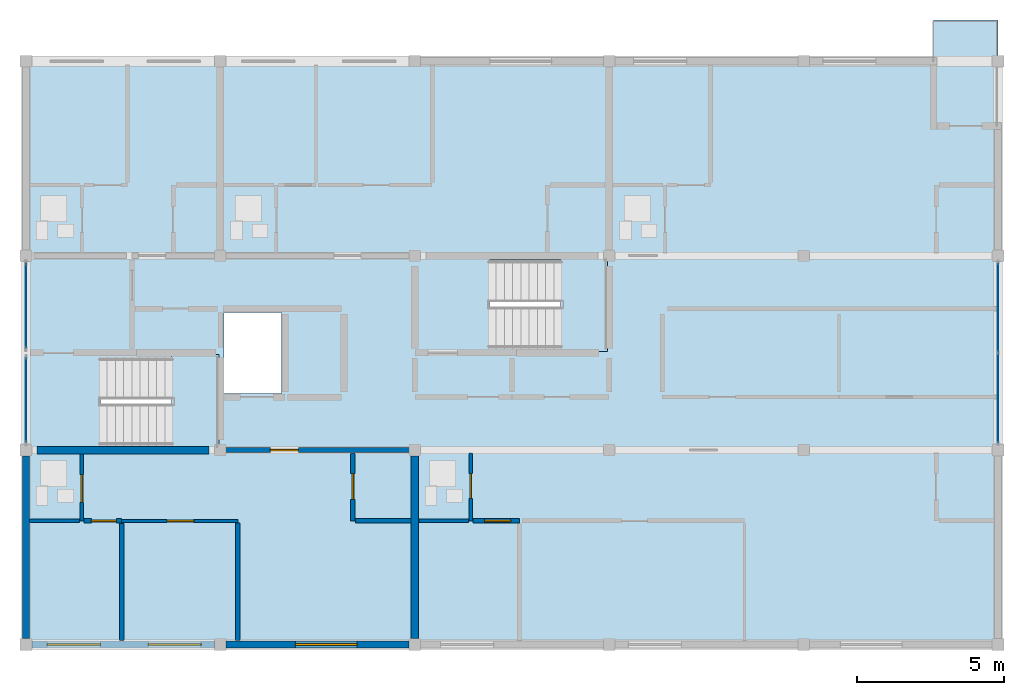
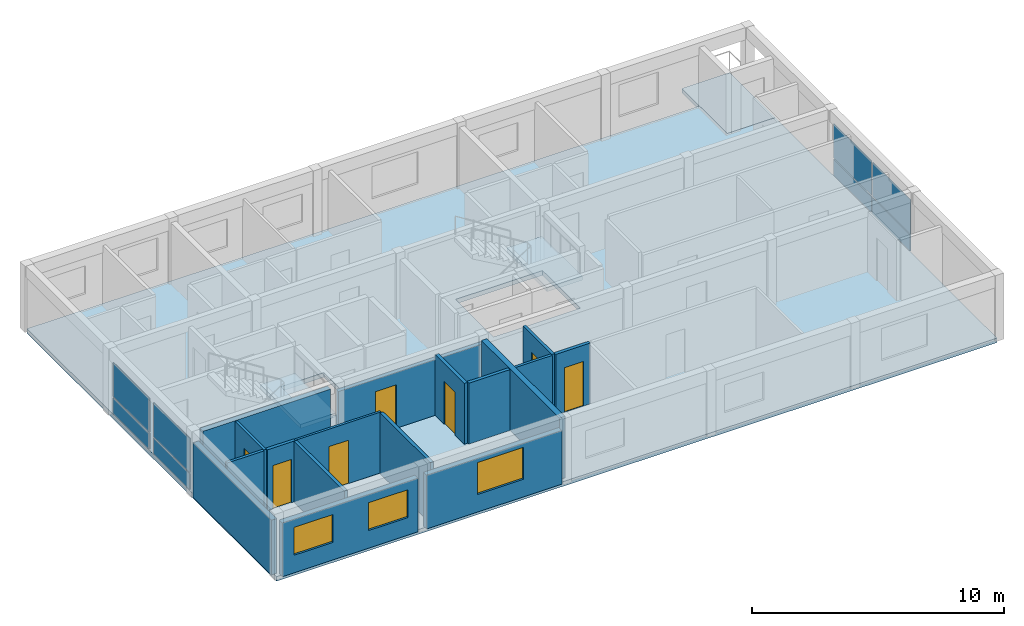
# One storey, part 7 of 12: 17 walls, 8 plates, 7 doors, 4 slabs, 3 windows, 10 openings, 5 elements without a shape of their own.
"""IFC4 building model written with IfcOpenShell, lengths in metres."""

from ifc_helpers import new_model, si_unit, direction, frame, frame_2d, origin, origin_2d, place, context, subcontext, project, spatial, polyline, rectangle, outline, extrude, material, layer, layer_set, type_object, element, fill, aggregate, save


model = new_model("IFC4")

# Units and contexts
model_context = context("Model", 3, precision=1e-05, world=origin(), true_north=direction((0.0, 1.0)))
body_context = subcontext(model_context, "Body", "Model", "MODEL_VIEW")
ifc_project = project(units=[si_unit("LENGTHUNIT", "METRE"), si_unit("AREAUNIT", "SQUARE_METRE"), si_unit("VOLUMEUNIT", "CUBIC_METRE"), si_unit("PLANEANGLEUNIT", "RADIAN"), si_unit("MASSUNIT", "GRAM", prefix="KILO")], contexts=[model_context])

# Site, building, storey
site_placement = place(None, origin())
site = spatial("IfcSite", under=ifc_project, at=site_placement, CompositionType="ELEMENT")
building_placement = place(site_placement, origin())
building = spatial("IfcBuilding", under=site, at=building_placement, Name="Kernevlak Ridge Housing Community", CompositionType="ELEMENT")
storey_placement = place(building_placement, frame((0.0, 0.0, 53.199951171875)))
storey = spatial("IfcBuildingStorey", under=building, at=storey_placement, Name="L16", CompositionType="ELEMENT", Elevation=53.199951171875)

# Curtain wall, plate
ifc_material_1 = material(Name="Aluminium EN AW-6060 anodised and laminated glass", Category="aluminium")
curtain_wall_type_1 = type_object("IfcCurtainWallType", Name="CW-01", PredefinedType="NOTDEFINED", material=ifc_material_1)
curtain_wall_1_placement = place(storey_placement, origin())
curtain_wall_1 = element("IfcCurtainWall", 1, at=curtain_wall_1_placement, inside=storey, type_object=curtain_wall_type_1, Name="Curtain wall CW-01 CW-L16-049", PredefinedType="NOTDEFINED")
ifc_material_2 = material(Name="Solar-control double glazing glass", Category="glass")
ifc_layer_1 = layer(ifc_material_2, 0.02392578125, Name="Solar-control double glazing glass")
ifc_layer_set_1 = layer_set([ifc_layer_1], Name="Solar-control double glazing glass")
plate_type_1 = type_object("IfcPlateType", Name="CP-01", PredefinedType="CURTAIN_PANEL", material=ifc_layer_set_1)
plate_1_placement = place(storey_placement, frame((15.60009765625, 84.294921875, 0.8798828125), z_axis=(0.0, 0.0, 1.0), x_axis=(0.0, 1.0, 0.0)))
plate_1 = element("IfcPlate", 2, at=plate_1_placement, type_object=plate_type_1, Name="CW-01 panel 1.2", PredefinedType="CURTAIN_PANEL", context=body_context, shape_type="SweptSolid", body=[
    extrude(rectangle(XDim=2.8701171875, YDim=0.02392578125, at=origin_2d()), origin(), (0.0, 0.0, 1.0), 1.659912109375),
])

curtain_wall_type_2 = type_object("IfcCurtainWallType", Name="CW-08", PredefinedType="NOTDEFINED", material=ifc_material_1)
curtain_wall_2_placement = place(storey_placement, origin())
curtain_wall_2 = element("IfcCurtainWall", 3, at=curtain_wall_2_placement, inside=storey, type_object=curtain_wall_type_2, Name="Curtain wall CW-08 CW-L16-050", PredefinedType="NOTDEFINED")
plate_2_placement = place(storey_placement, frame((15.60009765625, 87.5048828125, 0.88232421875), z_axis=(0.0, 0.0, 1.0), x_axis=(0.0, 1.0, 0.0)))
plate_2 = element("IfcPlate", 4, at=plate_2_placement, type_object=plate_type_1, Name="CW-08 panel 1.2", PredefinedType="CURTAIN_PANEL", context=body_context, shape_type="SweptSolid", body=[
    extrude(rectangle(XDim=2.860107421875, YDim=0.02392578125, at=origin_2d()), origin(), (0.0, 0.0, 1.0), 1.652587890625),
])

# Curtain wall, plates
curtain_wall_type_3 = type_object("IfcCurtainWallType", Name="CW-10", PredefinedType="NOTDEFINED", material=ifc_material_1)
curtain_wall_3_placement = place(storey_placement, origin())
curtain_wall_3 = element("IfcCurtainWall", 5, at=curtain_wall_3_placement, inside=storey, type_object=curtain_wall_type_3, Name="Curtain wall CW-10 CW-L16-051", PredefinedType="NOTDEFINED")
plate_3_placement = place(storey_placement, frame((48.60009765625, 84.36376953125, 0.87744140625), z_axis=(0.0, 0.0, 1.0), x_axis=(0.0, 1.0, 0.0)))
plate_3 = element("IfcPlate", 6, at=plate_3_placement, type_object=plate_type_1, Name="CW-10 panel 1.2", PredefinedType="CURTAIN_PANEL", context=body_context, shape_type="SweptSolid", body=[
    extrude(rectangle(XDim=3.017578125, YDim=0.02392578125, at=origin_2d()), origin(), (0.0, 0.0, 1.0), 1.66748046875),
])
plate_4_placement = place(storey_placement, frame((48.60009765625, 87.436279296875, 0.87744140625), z_axis=(0.0, 0.0, 1.0), x_axis=(0.0, 1.0, 0.0)))
plate_4 = element("IfcPlate", 7, at=plate_4_placement, type_object=plate_type_1, Name="CW-10 panel 2.2", PredefinedType="CURTAIN_PANEL", context=body_context, shape_type="SweptSolid", body=[
    extrude(rectangle(XDim=3.017578125, YDim=0.02392578125, at=origin_2d()), origin(), (0.0, 0.0, 1.0), 1.66748046875),
])

# Plate
ifc_material_3 = material(Name="Aluminium EN AW-5005 enamelled panel", Category="aluminium")
ifc_layer_2 = layer(ifc_material_3, 0.0419921875, Name="Aluminium EN AW-5005 enamelled panel")
ifc_layer_set_2 = layer_set([ifc_layer_2], Name="Aluminium EN AW-5005 enamelled panel")
plate_type_2 = type_object("IfcPlateType", Name="CP-05", PredefinedType="CURTAIN_PANEL", material=ifc_layer_set_2)
plate_5_placement = place(storey_placement, frame((15.60009765625, 84.294921875, 0.06005859375), z_axis=(0.0, 0.0, 1.0), x_axis=(0.0, 1.0, 0.0)))
plate_5 = element("IfcPlate", 8, at=plate_5_placement, type_object=plate_type_2, Name="CW-01 panel 1.1", PredefinedType="CURTAIN_PANEL", context=body_context, shape_type="SweptSolid", body=[
    extrude(rectangle(XDim=2.8701171875, YDim=0.0419921875, at=origin_2d()), origin(), (0.0, 0.0, 1.0), 0.760009765625),
])

aggregate(curtain_wall_1, [plate_5, plate_1])

ifc_material_4 = material(Name="Aluminium EN AW-5005 insulated panel", Category="aluminium")
ifc_layer_3 = layer(ifc_material_4, 0.0458984375, Name="Aluminium EN AW-5005 insulated panel")
ifc_layer_set_3 = layer_set([ifc_layer_3], Name="Aluminium EN AW-5005 insulated panel")
plate_type_3 = type_object("IfcPlateType", Name="CP-06", PredefinedType="CURTAIN_PANEL", material=ifc_layer_set_3)
plate_6_placement = place(storey_placement, frame((15.60009765625, 87.5048828125, 0.065185546875), z_axis=(0.0, 0.0, 1.0), x_axis=(0.0, 1.0, 0.0)))
plate_6 = element("IfcPlate", 9, at=plate_6_placement, type_object=plate_type_3, Name="CW-08 panel 1.1", PredefinedType="CURTAIN_PANEL", context=body_context, shape_type="SweptSolid", body=[
    extrude(rectangle(XDim=2.860107421875, YDim=0.0458984375, at=origin_2d()), origin(), (0.0, 0.0, 1.0), 0.75244140625),
])

aggregate(curtain_wall_2, [plate_6, plate_2])

ifc_layer_4 = layer(ifc_material_4, 0.050048828125, Name="Aluminium EN AW-5005 insulated panel")
ifc_layer_set_4 = layer_set([ifc_layer_4], Name="Aluminium EN AW-5005 insulated panel")
plate_type_4 = type_object("IfcPlateType", Name="CP-07", PredefinedType="CURTAIN_PANEL", material=ifc_layer_set_4)
plate_7_placement = place(storey_placement, frame((48.60009765625, 84.36376953125, 0.054931640625), z_axis=(0.0, 0.0, 1.0), x_axis=(0.0, 1.0, 0.0)))
plate_7 = element("IfcPlate", 10, at=plate_7_placement, type_object=plate_type_4, Name="CW-10 panel 1.1", PredefinedType="CURTAIN_PANEL", context=body_context, shape_type="SweptSolid", body=[
    extrude(rectangle(XDim=3.017578125, YDim=0.050048828125, at=origin_2d()), origin(), (0.0, 0.0, 1.0), 0.767578125),
])

plate_8_placement = place(storey_placement, frame((48.60009765625, 87.436279296875, 0.054931640625), z_axis=(0.0, 0.0, 1.0), x_axis=(0.0, 1.0, 0.0)))
plate_8 = element("IfcPlate", 11, at=plate_8_placement, type_object=plate_type_4, Name="CW-10 panel 2.1", PredefinedType="CURTAIN_PANEL", context=body_context, shape_type="SweptSolid", body=[
    extrude(rectangle(XDim=3.017578125, YDim=0.050048828125, at=origin_2d()), origin(), (0.0, 0.0, 1.0), 0.767578125),
])

aggregate(curtain_wall_3, [plate_7, plate_3, plate_8, plate_4])

# Slabs
ifc_material_5 = material(Name="Concrete C35/45", Category="concrete")
ifc_layer_5 = layer(ifc_material_5, 0.219970703125, Name="Concrete C35/45")
ifc_layer_set_5 = layer_set([ifc_layer_5], Name="Concrete C35/45")
slab_type_1 = type_object("IfcSlabType", Name="SL-04", PredefinedType="FLOOR", material=ifc_layer_set_5)
slab_1_placement = place(storey_placement, frame((0.0, 0.0, -0.219970703125)))
element("IfcSlab", 12, at=slab_1_placement, inside=storey, type_object=slab_type_1, Name="Block A level L16 floor slab", PredefinedType="FLOOR", context=body_context, shape_type="SweptSolid", body=[
    extrude(outline(polyline([(15.60009765625, 76.0), (48.60009765625, 76.0), (48.60009765625, 93.60009765625), (46.39990234375, 93.60009765625), (46.39990234375, 95.800048828125), (15.60009765625, 95.800048828125), (15.60009765625, 76.0)]), holes=[polyline([(18.139892578125, 85.75), (22.1201171875, 85.75), (22.1201171875, 82.75), (18.139892578125, 82.75), (18.139892578125, 85.75)]), polyline([(31.340087890625, 89.050048828125), (35.320068359375, 89.050048828125), (35.320068359375, 86.050048828125), (31.340087890625, 86.050048828125), (31.340087890625, 89.050048828125)]), polyline([(22.320068359375, 87.280029296875), (24.280029296875, 87.280029296875), (24.280029296875, 84.52001953125), (22.320068359375, 84.52001953125), (22.320068359375, 87.280029296875)])]), origin(), (0.0, 0.0, 1.0), 0.219970703125),
])
ifc_layer_6 = layer(ifc_material_5, 0.199951171875, Name="Concrete C35/45")
ifc_layer_set_6 = layer_set([ifc_layer_6], Name="Concrete C35/45")
slab_type_2 = type_object("IfcSlabType", Name="SL-05", PredefinedType="FLOOR", material=ifc_layer_set_6)
slab_2_placement = place(storey_placement, frame((0.0, 0.0, -0.199951171875)))
element("IfcSlab", 13, at=slab_2_placement, inside=storey, type_object=slab_type_2, Name="Block A L16 corner balcony deck slab", PredefinedType="FLOOR", context=body_context, shape_type="SweptSolid", body=[
    extrude(outline(polyline([(46.39990234375, 93.60009765625), (48.60009765625, 93.60009765625), (48.60009765625, 97.199951171875), (46.39990234375, 97.199951171875), (46.39990234375, 93.60009765625)])), origin(), (0.0, 0.0, 1.0), 0.199951171875),
])

# Stair, slab
stair_type = type_object("IfcStairType", Name="SR-06", PredefinedType="HALF_TURN_STAIR", material=ifc_material_5)
stair_1_placement = place(storey_placement, origin())
stair_1 = element("IfcStair", 14, at=stair_1_placement, inside=storey, type_object=stair_type, Name="Stair ST-A1 L16", PredefinedType="HALF_TURN_STAIR")
ifc_layer_7 = layer(ifc_material_5, 0.18994140625, Name="Concrete C35/45")
ifc_layer_set_7 = layer_set([ifc_layer_7], Name="Concrete C35/45")
slab_type_3 = type_object("IfcSlabType", Name="SL-13", PredefinedType="LANDING", material=ifc_layer_set_7)
slab_3_placement = place(storey_placement, frame((0.0, 0.0, 1.41015625)))
slab_3 = element("IfcSlab", 15, at=slab_3_placement, type_object=slab_type_3, Name="SR-06 landing 1", PredefinedType="LANDING", context=body_context, shape_type="SweptSolid", body=[
    extrude(outline(polyline([(20.5400390625, 82.64990234375), (22.14990234375, 82.64990234375), (22.14990234375, 85.85009765625), (20.5400390625, 85.85009765625), (20.5400390625, 82.64990234375)])), origin(), (0.0, 0.0, 1.0), 0.18994140625),
])
aggregate(stair_1, [slab_3])

stair_2_placement = place(storey_placement, origin())
stair_2 = element("IfcStair", 16, at=stair_2_placement, inside=storey, type_object=stair_type, Name="Stair ST-A2 L16", PredefinedType="HALF_TURN_STAIR")
slab_4_placement = place(storey_placement, frame((0.0, 0.0, 1.41015625)))
slab_4 = element("IfcSlab", 17, at=slab_4_placement, type_object=slab_type_3, Name="SR-06 landing 1", PredefinedType="LANDING", context=body_context, shape_type="SweptSolid", body=[
    extrude(outline(polyline([(33.739990234375, 85.949951171875), (35.35009765625, 85.949951171875), (35.35009765625, 89.14990234375), (33.739990234375, 89.14990234375), (33.739990234375, 85.949951171875)])), origin(), (0.0, 0.0, 1.0), 0.18994140625),
])
aggregate(stair_2, [slab_4])

# Wall, openings, windows
ifc_material_6 = material(Name="Concrete block masonry M10", Category="masonry")
ifc_layer_8 = layer(ifc_material_6, 0.239990234375, Name="Concrete block masonry M10")
ifc_layer_set_8 = layer_set([ifc_layer_8], Name="Concrete block masonry M10")
wall_type_1 = type_object("IfcWallType", Name="EW-06", PredefinedType="STANDARD", material=ifc_layer_set_8)
wall_1_placement = place(storey_placement, frame((15.800048828125, 76.0, 0.0), z_axis=(0.0, 0.0, 1.0), x_axis=(1.0, 0.0, 0.0)))
wall_1 = element("IfcWall", 18, at=wall_1_placement, inside=storey, type_object=wall_type_1, Name="Exterior wall EW-06 L16 253", PredefinedType="STANDARD", context=body_context, shape_type="SweptSolid", body=[
    extrude(rectangle(XDim=6.199951171875, YDim=0.239990234375, at=frame_2d((3.10009765625, 0.0))), origin(), (0.0, 0.0, 1.0), 2.60009765625),
])
opening_1_placement = place(wall_1_placement, frame((0.52490234375, 0.0, 0.85009765625)))
opening_1 = element("IfcOpeningElement", 19, at=opening_1_placement, cuts=wall_1, Name="Opening WT-03", PredefinedType="OPENING", context=body_context, shape_type="SweptSolid", body=[
    extrude(rectangle(XDim=1.800048828125, YDim=1.35009765625, at=frame_2d((0.89990234375, 0.675048828125))), frame((0.0, 0.1298828125, 0.0), z_axis=(0.0, -1.0, 0.0), x_axis=(1.0, 0.0, 0.0)), (0.0, 0.0, 1.0), 0.260009765625),
])
opening_2_placement = place(wall_1_placement, frame((3.949951171875, 0.0, 0.85009765625)))
opening_2 = element("IfcOpeningElement", 20, at=opening_2_placement, cuts=wall_1, Name="Opening WT-03", PredefinedType="OPENING", context=body_context, shape_type="SweptSolid", body=[
    extrude(rectangle(XDim=1.800048828125, YDim=1.35009765625, at=frame_2d((0.89990234375, 0.675048828125))), frame((0.0, 0.1298828125, 0.0), z_axis=(0.0, -1.0, 0.0), x_axis=(1.0, 0.0, 0.0)), (0.0, 0.0, 1.0), 0.260009765625),
])
window_type_1 = type_object("IfcWindowType", Name="WT-03", PartitioningType="SINGLE_PANEL", PredefinedType="WINDOW", material=ifc_material_1)
window_1_placement = place(opening_1_placement, origin())
window_1 = element("IfcWindow", 21, at=window_1_placement, inside=storey, type_object=window_type_1, Name="Window WT-03 L16 200", OverallHeight=1.35009765625, OverallWidth=1.800048828125, PartitioningType="SINGLE_PANEL", PredefinedType="WINDOW", context=body_context, shape_type="SweptSolid", body=[
    extrude(rectangle(XDim=1.800048828125, YDim=1.35009765625, at=frame_2d((0.89990234375, 0.675048828125))), frame((0.0, 0.030029296875, 0.0), z_axis=(0.0, -1.0, 0.0), x_axis=(1.0, 0.0, 0.0)), (0.0, 0.0, 1.0), 0.06005859375),
])
fill(opening_1, window_1)
window_2_placement = place(opening_2_placement, origin())
window_2 = element("IfcWindow", 22, at=window_2_placement, inside=storey, type_object=window_type_1, Name="Window WT-03 L16 201", OverallHeight=1.35009765625, OverallWidth=1.800048828125, PartitioningType="SINGLE_PANEL", PredefinedType="WINDOW", context=body_context, shape_type="SweptSolid", body=[
    extrude(rectangle(XDim=1.800048828125, YDim=1.35009765625, at=frame_2d((0.89990234375, 0.675048828125))), frame((0.0, 0.030029296875, 0.0), z_axis=(0.0, -1.0, 0.0), x_axis=(1.0, 0.0, 0.0)), (0.0, 0.0, 1.0), 0.06005859375),
])
fill(opening_2, window_2)

# Wall, opening, window
wall_2_placement = place(storey_placement, frame((22.39990234375, 76.0, 0.0), z_axis=(0.0, 0.0, 1.0), x_axis=(1.0, 0.0, 0.0)))
wall_2 = element("IfcWall", 23, at=wall_2_placement, inside=storey, type_object=wall_type_1, Name="Exterior wall EW-06 L16 254", PredefinedType="STANDARD", context=body_context, shape_type="SweptSolid", body=[
    extrude(rectangle(XDim=6.2001953125, YDim=0.239990234375, at=frame_2d((3.10009765625, 0.0))), origin(), (0.0, 0.0, 1.0), 2.60009765625),
])
opening_3_placement = place(wall_2_placement, frame((2.345947265625, 0.0, 0.85009765625)))
opening_3 = element("IfcOpeningElement", 24, at=opening_3_placement, cuts=wall_2, Name="Opening WT-05", PredefinedType="OPENING", context=body_context, shape_type="SweptSolid", body=[
    extrude(rectangle(XDim=2.10009765625, YDim=1.550048828125, at=frame_2d((1.050048828125, 0.77490234375))), frame((0.0, 0.1298828125, 0.0), z_axis=(0.0, -1.0, 0.0), x_axis=(1.0, 0.0, 0.0)), (0.0, 0.0, 1.0), 0.260009765625),
])
window_type_2 = type_object("IfcWindowType", Name="WT-05", PartitioningType="SINGLE_PANEL", PredefinedType="WINDOW", material=ifc_material_1)
window_3_placement = place(opening_3_placement, origin())
window_3 = element("IfcWindow", 25, at=window_3_placement, inside=storey, type_object=window_type_2, Name="Window WT-05 L16 202", OverallHeight=1.550048828125, OverallWidth=2.10009765625, PartitioningType="SINGLE_PANEL", PredefinedType="WINDOW", context=body_context, shape_type="SweptSolid", body=[
    extrude(rectangle(XDim=2.10009765625, YDim=1.550048828125, at=frame_2d((1.050048828125, 0.77490234375))), frame((0.0, 0.030029296875, 0.0), z_axis=(0.0, -1.0, 0.0), x_axis=(1.0, 0.0, 0.0)), (0.0, 0.0, 1.0), 0.06005859375),
])
fill(opening_3, window_3)

# Wall
wall_3_placement = place(storey_placement, frame((15.60009765625, 76.199951171875, 0.0), z_axis=(0.0, 0.0, 1.0), x_axis=(0.0, 1.0, 0.0)))
element("IfcWall", 26, at=wall_3_placement, inside=storey, type_object=wall_type_1, Name="Exterior wall EW-06 L16 265", PredefinedType="STANDARD", context=body_context, shape_type="SweptSolid", body=[
    extrude(rectangle(XDim=6.199951171875, YDim=0.239990234375, at=frame_2d((3.10009765625, 0.0))), origin(), (0.0, 0.0, 1.0), 2.650146484375),
])

# Wall, opening, door
ifc_layer_9 = layer(ifc_material_6, 0.175048828125, Name="Concrete block masonry M10")
ifc_layer_set_9 = layer_set([ifc_layer_9], Name="Concrete block masonry M10")
wall_type_2 = type_object("IfcWallType", Name="PW-02", PredefinedType="PARTITIONING", material=ifc_layer_set_9)
wall_4_placement = place(storey_placement, frame((22.199951171875, 82.60009765625, 0.0), z_axis=(0.0, 0.0, 1.0), x_axis=(1.0, 0.0, 0.0)))
wall_4 = element("IfcWall", 27, at=wall_4_placement, inside=storey, type_object=wall_type_2, Name="Interior wall PW-02 WAL-INT-L16-1029", PredefinedType="PARTITIONING", context=body_context, shape_type="SweptSolid", body=[
    extrude(rectangle(XDim=6.60009765625, YDim=0.175048828125, at=frame_2d((3.300048828125, 0.0))), origin(), (0.0, 0.0, 1.0), 2.699951171875),
])
opening_4_placement = place(wall_4_placement, frame((1.699951171875, 0.0, 0.0)))
opening_4 = element("IfcOpeningElement", 28, at=opening_4_placement, cuts=wall_4, Name="Opening D519", PredefinedType="OPENING", context=body_context, shape_type="SweptSolid", body=[
    extrude(rectangle(XDim=0.949951171875, YDim=2.10009765625, at=frame_2d((0.47509765625, 1.050048828125))), frame((0.0, 0.097412109375, 0.0), z_axis=(0.0, -1.0, 0.0), x_axis=(1.0, 0.0, 0.0)), (0.0, 0.0, 1.0), 0.195068359375),
])
ifc_material_7 = material(Name="Hardwood timber solid-core fire leaf", Category="wood")
door_type_1 = type_object("IfcDoorType", Name="DT-01", OperationType="NOTDEFINED", PredefinedType="DOOR", material=ifc_material_7)
door_1_placement = place(opening_4_placement, origin())
door_1 = element("IfcDoor", 29, at=door_1_placement, inside=storey, type_object=door_type_1, Name="Flat A1611 entrance fire door D519", OperationType="SINGLE_SWING_LEFT", OverallHeight=2.10009765625, OverallWidth=0.949951171875, PredefinedType="DOOR", context=body_context, shape_type="SweptSolid", body=[
    extrude(rectangle(XDim=0.949951171875, YDim=2.10009765625, at=frame_2d((0.47509765625, 1.050048828125))), frame((0.0, 0.02490234375, 0.0), z_axis=(0.0, -1.0, 0.0), x_axis=(1.0, 0.0, 0.0)), (0.0, 0.0, 1.0), 0.050048828125),
])
fill(opening_4, door_1)

ifc_layer_10 = layer(ifc_material_6, 0.14501953125, Name="Concrete block masonry M10")
ifc_layer_set_10 = layer_set([ifc_layer_10], Name="Concrete block masonry M10")
wall_type_3 = type_object("IfcWallType", Name="PW-03", PredefinedType="PARTITIONING", material=ifc_layer_set_10)
wall_5_placement = place(storey_placement, frame((17.572509765625, 80.199951171875, 0.0), z_axis=(0.0, 0.0, 1.0), x_axis=(1.0, 0.0, 0.0)))
wall_5 = element("IfcWall", 30, at=wall_5_placement, inside=storey, type_object=wall_type_3, Name="Interior wall PW-03 WAL-INT-L16-1034", PredefinedType="PARTITIONING", context=body_context, shape_type="SweptSolid", body=[
    extrude(rectangle(XDim=1.277587890625, YDim=0.14501953125, at=frame_2d((0.638671875, 0.0))), origin(), (0.0, 0.0, 1.0), 2.945068359375),
])
opening_5_placement = place(wall_5_placement, frame((0.25, 0.0, 0.0)))
opening_5 = element("IfcOpeningElement", 31, at=opening_5_placement, cuts=wall_5, Name="Opening D522", PredefinedType="OPENING", context=body_context, shape_type="SweptSolid", body=[
    extrude(rectangle(XDim=0.85009765625, YDim=2.10009765625, at=frame_2d((0.425048828125, 1.050048828125))), frame((0.0, 0.08251953125, 0.0), z_axis=(0.0, -1.0, 0.0), x_axis=(1.0, 0.0, 0.0)), (0.0, 0.0, 1.0), 0.1650390625),
])
ifc_material_8 = material(Name="Hardwood timber leaf", Category="wood")
door_type_2 = type_object("IfcDoorType", Name="DT-03", OperationType="NOTDEFINED", PredefinedType="DOOR", material=ifc_material_8)
door_2_placement = place(opening_5_placement, origin())
door_2 = element("IfcDoor", 32, at=door_2_placement, inside=storey, type_object=door_type_2, Name="Flat A1611 bedroom door D522", OperationType="SINGLE_SWING_RIGHT", OverallHeight=2.10009765625, OverallWidth=0.85009765625, PredefinedType="DOOR", context=body_context, shape_type="SweptSolid", body=[
    extrude(rectangle(XDim=0.85009765625, YDim=2.10009765625, at=frame_2d((0.425048828125, 1.050048828125))), frame((0.0, 0.02490234375, 0.0), z_axis=(0.0, -1.0, 0.0), x_axis=(1.0, 0.0, 0.0)), (0.0, 0.0, 1.0), 0.050048828125),
])
fill(opening_5, door_2)

# Walls
wall_6_placement = place(storey_placement, frame((18.85009765625, 80.117431640625, 0.0), z_axis=(0.0, 0.0, 1.0), x_axis=(0.0, -1.0, 0.0)))
element("IfcWall", 33, at=wall_6_placement, inside=storey, type_object=wall_type_3, Name="Interior wall PW-03 WAL-INT-L16-1035", PredefinedType="PARTITIONING", context=body_context, shape_type="SweptSolid", body=[
    extrude(rectangle(XDim=3.987548828125, YDim=0.14501953125, at=frame_2d((1.99365234375, 0.0))), origin(), (0.0, 0.0, 1.0), 2.945068359375),
])
wall_7_placement = place(storey_placement, frame((22.7919921875, 80.1201171875, 0.0), z_axis=(0.0, 0.0, 1.0), x_axis=(0.0, -1.0, 0.0)))
element("IfcWall", 34, at=wall_7_placement, inside=storey, type_object=wall_type_3, Name="Interior wall PW-03 WAL-INT-L16-1037", PredefinedType="PARTITIONING", context=body_context, shape_type="SweptSolid", body=[
    extrude(rectangle(XDim=3.990234375, YDim=0.14501953125, at=frame_2d((1.9951171875, 0.0))), origin(), (0.0, 0.0, 1.0), 2.945068359375),
])

# Wall, opening, door
wall_8_placement = place(storey_placement, frame((30.7724609375, 80.199951171875, 0.0), z_axis=(0.0, 0.0, 1.0), x_axis=(1.0, 0.0, 0.0)))
wall_8 = element("IfcWall", 35, at=wall_8_placement, inside=storey, type_object=wall_type_3, Name="Interior wall PW-03 WAL-INT-L16-1043", PredefinedType="PARTITIONING", context=body_context, shape_type="SweptSolid", body=[
    extrude(rectangle(XDim=1.57763671875, YDim=0.14501953125, at=frame_2d((0.788818359375, 0.0))), origin(), (0.0, 0.0, 1.0), 2.945068359375),
])
opening_6_placement = place(wall_8_placement, frame((0.39990234375, 0.0, 0.0)))
opening_6 = element("IfcOpeningElement", 36, at=opening_6_placement, cuts=wall_8, Name="Opening D527", PredefinedType="OPENING", context=body_context, shape_type="SweptSolid", body=[
    extrude(rectangle(XDim=0.8798828125, YDim=2.159912109375, at=frame_2d((0.43994140625, 1.080078125))), frame((0.0, 0.08251953125, 0.0), z_axis=(0.0, -1.0, 0.0), x_axis=(1.0, 0.0, 0.0)), (0.0, 0.0, 1.0), 0.1650390625),
])
door_type_3 = type_object("IfcDoorType", Name="DT-26", OperationType="NOTDEFINED", PredefinedType="DOOR", material=ifc_material_8)
door_3_placement = place(opening_6_placement, origin())
door_3 = element("IfcDoor", 37, at=door_3_placement, inside=storey, type_object=door_type_3, Name="Flat A1612 bedroom door D527", OperationType="SINGLE_SWING_LEFT", OverallHeight=2.159912109375, OverallWidth=0.8798828125, PredefinedType="DOOR", context=body_context, shape_type="SweptSolid", body=[
    extrude(rectangle(XDim=0.8798828125, YDim=2.159912109375, at=frame_2d((0.43994140625, 1.080078125))), frame((0.0, 0.02490234375, 0.0), z_axis=(0.0, -1.0, 0.0), x_axis=(1.0, 0.0, 0.0)), (0.0, 0.0, 1.0), 0.050048828125),
])
fill(opening_6, door_3)

ifc_material_9 = material(Name="Gypsum plasterboard EN 520", Category="gypsum")
ifc_layer_11 = layer(ifc_material_9, 0.125, Name="Gypsum plasterboard EN 520")
ifc_layer_set_11 = layer_set([ifc_layer_11], Name="Gypsum plasterboard EN 520")
wall_type_4 = type_object("IfcWallType", Name="PW-04", PredefinedType="PARTITIONING", material=ifc_layer_set_11)
wall_9_placement = place(storey_placement, frame((17.5, 82.465087890625, 0.0), z_axis=(0.0, 0.0, 1.0), x_axis=(0.0, -1.0, 0.0)))
wall_9 = element("IfcWall", 38, at=wall_9_placement, inside=storey, type_object=wall_type_4, Name="Interior wall PW-04 WAL-INT-L16-1030", PredefinedType="PARTITIONING", context=body_context, shape_type="SweptSolid", body=[
    extrude(rectangle(XDim=2.26513671875, YDim=0.125, at=frame_2d((1.132568359375, 0.0))), origin(), (0.0, 0.0, 1.0), 2.945068359375),
])
opening_7_placement = place(wall_9_placement, frame((0.699951171875, 0.0, 0.0)))
opening_7 = element("IfcOpeningElement", 39, at=opening_7_placement, cuts=wall_9, Name="Opening D520", PredefinedType="OPENING", context=body_context, shape_type="SweptSolid", body=[
    extrude(rectangle(XDim=0.93994140625, YDim=2.080078125, at=frame_2d((0.469970703125, 1.0400390625))), frame((0.0, 0.072509765625, 0.0), z_axis=(0.0, -1.0, 0.0), x_axis=(1.0, 0.0, 0.0)), (0.0, 0.0, 1.0), 0.14501953125),
])
ifc_material_10 = material(Name="Hardwood timber moisture-resistant leaf", Category="wood")
door_type_4 = type_object("IfcDoorType", Name="DT-23", OperationType="NOTDEFINED", PredefinedType="DOOR", material=ifc_material_10)
door_4_placement = place(opening_7_placement, origin())
door_4 = element("IfcDoor", 40, at=door_4_placement, inside=storey, type_object=door_type_4, Name="Flat A1611 bathroom door D520", OperationType="SINGLE_SWING_RIGHT", OverallHeight=2.080078125, OverallWidth=0.93994140625, PredefinedType="DOOR", context=body_context, shape_type="SweptSolid", body=[
    extrude(rectangle(XDim=0.93994140625, YDim=2.080078125, at=frame_2d((0.469970703125, 1.0400390625))), frame((0.0, 0.02490234375, 0.0), z_axis=(0.0, -1.0, 0.0), x_axis=(1.0, 0.0, 0.0)), (0.0, 0.0, 1.0), 0.050048828125),
])
fill(opening_7, door_4)

# Wall
wall_10_placement = place(storey_placement, frame((15.72998046875, 80.199951171875, 0.0), z_axis=(0.0, 0.0, 1.0), x_axis=(1.0, 0.0, 0.0)))
element("IfcWall", 41, at=wall_10_placement, inside=storey, type_object=wall_type_4, Name="Interior wall PW-04 WAL-INT-L16-1031", PredefinedType="PARTITIONING", context=body_context, shape_type="SweptSolid", body=[
    extrude(rectangle(XDim=1.68994140625, YDim=0.125, at=frame_2d((0.844970703125, 0.0))), origin(), (0.0, 0.0, 1.0), 2.945068359375),
])

# Wall, opening, door
wall_11_placement = place(storey_placement, frame((30.699951171875, 82.50244140625, 0.0), z_axis=(0.0, 0.0, 1.0), x_axis=(0.0, -1.0, 0.0)))
wall_11 = element("IfcWall", 42, at=wall_11_placement, inside=storey, type_object=wall_type_4, Name="Interior wall PW-04 WAL-INT-L16-1039", PredefinedType="PARTITIONING", context=body_context, shape_type="SweptSolid", body=[
    extrude(rectangle(XDim=2.302490234375, YDim=0.125, at=frame_2d((1.1513671875, 0.0))), origin(), (0.0, 0.0, 1.0), 2.945068359375),
])
opening_8_placement = place(wall_11_placement, frame((0.699951171875, 0.0, 0.0)))
opening_8 = element("IfcOpeningElement", 43, at=opening_8_placement, cuts=wall_11, Name="Opening D525", PredefinedType="OPENING", context=body_context, shape_type="SweptSolid", body=[
    extrude(rectangle(XDim=0.840087890625, YDim=2.06005859375, at=frame_2d((0.419921875, 1.030029296875))), frame((0.0, 0.072509765625, 0.0), z_axis=(0.0, -1.0, 0.0), x_axis=(1.0, 0.0, 0.0)), (0.0, 0.0, 1.0), 0.14501953125),
])
door_type_5 = type_object("IfcDoorType", Name="DT-27", OperationType="NOTDEFINED", PredefinedType="DOOR", material=ifc_material_10)
door_5_placement = place(opening_8_placement, origin())
door_5 = element("IfcDoor", 44, at=door_5_placement, inside=storey, type_object=door_type_5, Name="Flat A1612 bathroom door D525", OperationType="SINGLE_SWING_LEFT", OverallHeight=2.06005859375, OverallWidth=0.840087890625, PredefinedType="DOOR", context=body_context, shape_type="SweptSolid", body=[
    extrude(rectangle(XDim=0.840087890625, YDim=2.06005859375, at=frame_2d((0.419921875, 1.030029296875))), frame((0.0, 0.02490234375, 0.0), z_axis=(0.0, -1.0, 0.0), x_axis=(1.0, 0.0, 0.0)), (0.0, 0.0, 1.0), 0.050048828125),
])
fill(opening_8, door_5)

# Wall
wall_12_placement = place(storey_placement, frame((28.93505859375, 80.199951171875, 0.0), z_axis=(0.0, 0.0, 1.0), x_axis=(1.0, 0.0, 0.0)))
element("IfcWall", 45, at=wall_12_placement, inside=storey, type_object=wall_type_4, Name="Interior wall PW-04 WAL-INT-L16-1040", PredefinedType="PARTITIONING", context=body_context, shape_type="SweptSolid", body=[
    extrude(rectangle(XDim=1.68505859375, YDim=0.125, at=frame_2d((0.842529296875, 0.0))), origin(), (0.0, 0.0, 1.0), 2.945068359375),
])

# Wall, opening, door
ifc_layer_12 = layer(ifc_material_9, 0.155029296875, Name="Gypsum plasterboard EN 520")
ifc_layer_set_12 = layer_set([ifc_layer_12], Name="Gypsum plasterboard EN 520")
wall_type_5 = type_object("IfcWallType", Name="PW-05", PredefinedType="PARTITIONING", material=ifc_layer_set_12)
wall_13_placement = place(storey_placement, frame((26.699951171875, 82.50244140625, 0.0), z_axis=(0.0, 0.0, 1.0), x_axis=(0.0, -1.0, 0.0)))
wall_13 = element("IfcWall", 46, at=wall_13_placement, inside=storey, type_object=wall_type_5, Name="Interior wall PW-05 WAL-INT-L16-1032", PredefinedType="PARTITIONING", context=body_context, shape_type="SweptSolid", body=[
    extrude(rectangle(XDim=2.302490234375, YDim=0.155029296875, at=frame_2d((1.1513671875, 0.0))), origin(), (0.0, 0.0, 1.0), 2.945068359375),
])
opening_9_placement = place(wall_13_placement, frame((0.699951171875, 0.0, 0.0)))
opening_9 = element("IfcOpeningElement", 47, at=opening_9_placement, cuts=wall_13, Name="Opening D521", PredefinedType="OPENING", context=body_context, shape_type="SweptSolid", body=[
    extrude(rectangle(XDim=0.8701171875, YDim=2.080078125, at=frame_2d((0.43505859375, 1.0400390625))), frame((0.0, 0.08740234375, 0.0), z_axis=(0.0, -1.0, 0.0), x_axis=(1.0, 0.0, 0.0)), (0.0, 0.0, 1.0), 0.175048828125),
])
door_type_6 = type_object("IfcDoorType", Name="DT-32", OperationType="NOTDEFINED", PredefinedType="DOOR", material=ifc_material_8)
door_6_placement = place(opening_9_placement, origin())
door_6 = element("IfcDoor", 48, at=door_6_placement, inside=storey, type_object=door_type_6, Name="Flat A1611 kitchen door D521", OperationType="SINGLE_SWING_LEFT", OverallHeight=2.080078125, OverallWidth=0.8701171875, PredefinedType="DOOR", context=body_context, shape_type="SweptSolid", body=[
    extrude(rectangle(XDim=0.8701171875, YDim=2.080078125, at=frame_2d((0.43505859375, 1.0400390625))), frame((0.0, 0.02490234375, 0.0), z_axis=(0.0, -1.0, 0.0), x_axis=(1.0, 0.0, 0.0)), (0.0, 0.0, 1.0), 0.050048828125),
])
fill(opening_9, door_6)

# Wall
wall_14_placement = place(storey_placement, frame((26.78759765625, 80.199951171875, 0.0), z_axis=(0.0, 0.0, 1.0), x_axis=(1.0, 0.0, 0.0)))
element("IfcWall", 49, at=wall_14_placement, inside=storey, type_object=wall_type_5, Name="Interior wall PW-05 WAL-INT-L16-1033", PredefinedType="PARTITIONING", context=body_context, shape_type="SweptSolid", body=[
    extrude(rectangle(XDim=1.87744140625, YDim=0.155029296875, at=frame_2d((0.938720703125, 0.0))), origin(), (0.0, 0.0, 1.0), 2.945068359375),
])

# Wall, opening, door
ifc_layer_13 = layer(ifc_material_9, 0.10498046875, Name="Gypsum plasterboard EN 520")
ifc_layer_set_13 = layer_set([ifc_layer_13], Name="Gypsum plasterboard EN 520")
wall_type_6 = type_object("IfcWallType", Name="PW-06", PredefinedType="PARTITIONING", material=ifc_layer_set_13)
wall_15_placement = place(storey_placement, frame((18.85009765625, 80.199951171875, 0.0), z_axis=(0.0, 0.0, 1.0), x_axis=(1.0, 0.0, 0.0)))
wall_15 = element("IfcWall", 50, at=wall_15_placement, inside=storey, type_object=wall_type_6, Name="Interior wall PW-06 WAL-INT-L16-1036", PredefinedType="PARTITIONING", context=body_context, shape_type="SweptSolid", body=[
    extrude(rectangle(XDim=3.94189453125, YDim=0.10498046875, at=frame_2d((1.970947265625, 0.0))), origin(), (0.0, 0.0, 1.0), 2.945068359375),
])
opening_10_placement = place(wall_15_placement, frame((1.5458984375, 0.0, 0.0)))
opening_10 = element("IfcOpeningElement", 51, at=opening_10_placement, cuts=wall_15, Name="Opening D523", PredefinedType="OPENING", context=body_context, shape_type="SweptSolid", body=[
    extrude(rectangle(XDim=0.89990234375, YDim=2.10009765625, at=frame_2d((0.449951171875, 1.050048828125))), frame((0.0, 0.0625, 0.0), z_axis=(0.0, -1.0, 0.0), x_axis=(1.0, 0.0, 0.0)), (0.0, 0.0, 1.0), 0.125),
])
door_type_7 = type_object("IfcDoorType", Name="DT-21", OperationType="NOTDEFINED", PredefinedType="DOOR", material=ifc_material_8)
door_7_placement = place(opening_10_placement, origin())
door_7 = element("IfcDoor", 52, at=door_7_placement, inside=storey, type_object=door_type_7, Name="Flat A1611 bedroom door D523", OperationType="SINGLE_SWING_LEFT", OverallHeight=2.10009765625, OverallWidth=0.89990234375, PredefinedType="DOOR", context=body_context, shape_type="SweptSolid", body=[
    extrude(rectangle(XDim=0.89990234375, YDim=2.10009765625, at=frame_2d((0.449951171875, 1.050048828125))), frame((0.0, 0.02490234375, 0.0), z_axis=(0.0, -1.0, 0.0), x_axis=(1.0, 0.0, 0.0)), (0.0, 0.0, 1.0), 0.050048828125),
])
fill(opening_10, door_7)

# Walls
ifc_material_11 = material(Name="Concrete C40/50", Category="concrete")
ifc_layer_14 = layer(ifc_material_11, 0.25, Name="Concrete C40/50")
ifc_layer_set_14 = layer_set([ifc_layer_14], Name="Concrete C40/50")
wall_type_7 = type_object("IfcWallType", Name="SW-03", PredefinedType="SHEAR", material=ifc_layer_set_14)
wall_16_placement = place(storey_placement, frame((15.97998046875, 82.60009765625, 0.0), z_axis=(0.0, 0.0, 1.0), x_axis=(1.0, 0.0, 0.0)))
element("IfcWall", 53, at=wall_16_placement, inside=storey, type_object=wall_type_7, Name="Shear wall SW-03 Block A L16 171", PredefinedType="SHEAR", context=body_context, shape_type="SweptSolid", body=[
    extrude(rectangle(XDim=5.840087890625, YDim=0.25, at=frame_2d((2.919921875, 0.0))), origin(), (0.0, 0.0, 1.0), 2.97998046875),
])
wall_17_placement = place(storey_placement, frame((28.800048828125, 76.199951171875, 0.0), z_axis=(0.0, 0.0, 1.0), x_axis=(0.0, 1.0, 0.0)))
element("IfcWall", 54, at=wall_17_placement, inside=storey, type_object=wall_type_7, Name="Shear wall SW-03 Block A L16 178", PredefinedType="SHEAR", context=body_context, shape_type="SweptSolid", body=[
    extrude(rectangle(XDim=6.199951171875, YDim=0.25, at=frame_2d((3.10009765625, 0.0))), origin(), (0.0, 0.0, 1.0), 2.97998046875),
])

save(model, "model.ifc")
